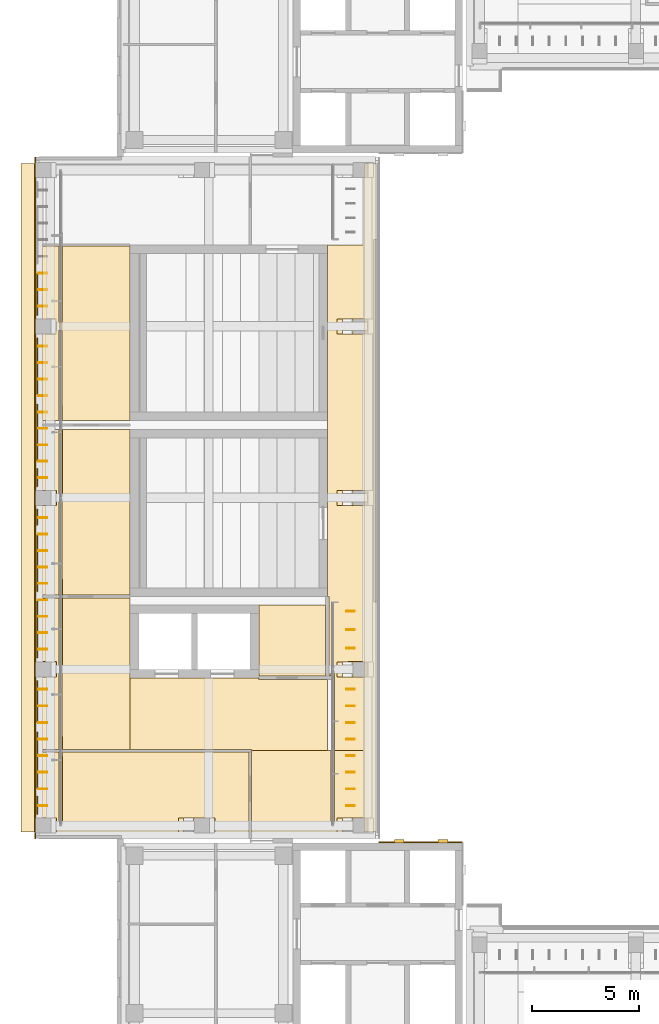
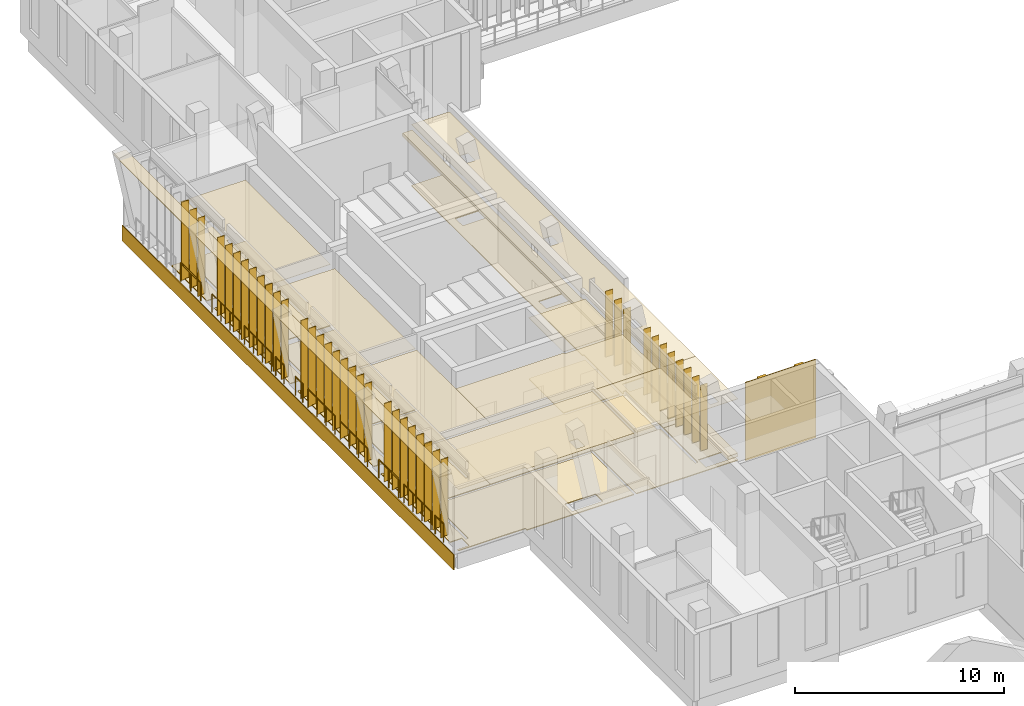
# One storey, part 59 of 74: 40 shading devices, 22 coverings, 10 railings.
"""IFC4 building model written with IfcOpenShell, lengths in metres."""

from ifc_helpers import new_model, si_unit, direction, frame, frame_2d, origin, origin_2d, place, context, subcontext, project, spatial, polyline, rectangle, circle, outline, extrude, material, layer, layer_set, type_object, element, save


model = new_model("IFC4")

# Units and contexts
model_context = context("Model", 3, precision=1e-05, world=origin(), true_north=direction((0.0, 1.0)))
body_context = subcontext(model_context, "Body", "Model", "MODEL_VIEW")
ifc_project = project(units=[si_unit("LENGTHUNIT", "METRE"), si_unit("AREAUNIT", "SQUARE_METRE"), si_unit("VOLUMEUNIT", "CUBIC_METRE"), si_unit("PLANEANGLEUNIT", "RADIAN"), si_unit("MASSUNIT", "GRAM", prefix="KILO")], contexts=[model_context])

# Site, building, storey
site_placement = place(None, origin())
site = spatial("IfcSite", under=ifc_project, at=site_placement, CompositionType="ELEMENT")
building_placement = place(site_placement, origin())
building = spatial("IfcBuilding", under=site, at=building_placement, Name="Lantern Court Media Centre", CompositionType="ELEMENT")
storey_placement = place(building_placement, frame((0.0, 0.0, 19.199951171875)))
storey = spatial("IfcBuildingStorey", under=building, at=storey_placement, Name="L04", CompositionType="ELEMENT", Elevation=19.199951171875)

# Coverings
ifc_material_1 = material(Name="Carpet")
ifc_layer_1 = layer(ifc_material_1, 0.050048828125)
ifc_layer_set_1 = layer_set([ifc_layer_1], Name="Carpet")
covering_type_1 = type_object("IfcCoveringType", Name="Carpet floor finish", PredefinedType="FLOORING", material=ifc_layer_set_1)
covering_1_placement = place(storey_placement, origin())
element("IfcCovering", 1, at=covering_1_placement, inside=storey, type_object=covering_type_1, Name="Projection Room Screen 7 floor finish", PredefinedType="FLOORING", context=body_context, shape_type="SweptSolid", body=[
    extrude(outline(polyline([(4.300048828125, 68.132568359375), (5.070068359375, 68.132568359375), (5.074951171875, 64.89501953125), (5.22998046875, 64.89990234375), (5.22998046875, 68.132568359375), (13.9326171875, 68.132568359375), (13.9326171875, 64.10009765625), (8.0048828125, 64.10009765625), (8.0, 64.2451171875), (4.300048828125, 64.2451171875), (4.300048828125, 64.344970703125), (4.955078125, 64.35009765625), (4.95361328125, 65.053466796875), (4.300048828125, 65.054931640625), (4.300048828125, 68.132568359375)]), holes=[polyline([(10.64501953125, 64.35009765625), (12.351806640625, 64.345458984375), (12.354736328125, 65.052001953125), (10.648193359375, 65.0546875), (10.64501953125, 64.35009765625)])]), origin(), (0.0, 0.0, 1.0), 0.050048828125),
])
covering_2_placement = place(storey_placement, origin())
element("IfcCovering", 2, at=covering_2_placement, inside=storey, type_object=covering_type_1, Name="Cinema Club Room floor finish", PredefinedType="FLOORING", context=body_context, shape_type="SweptSolid", body=[
    extrude(outline(polyline([(8.39501953125, 83.199951171875), (8.39501953125, 75.467529296875), (5.22998046875, 75.467529296875), (5.22509765625, 79.804931640625), (5.070068359375, 79.800048828125), (5.070068359375, 75.467529296875), (4.300048828125, 75.467529296875), (4.300048828125, 79.64501953125), (4.955078125, 79.64990234375), (4.95361328125, 80.353515625), (4.300048828125, 80.35498046875), (4.300048828125, 83.199951171875), (5.070068359375, 83.199951171875), (5.074951171875, 80.195068359375), (5.22998046875, 80.199462890625), (5.22998046875, 83.199951171875), (8.39501953125, 83.199951171875)])), origin(), (0.0, 0.0, 1.0), 0.050048828125),
])
covering_3_placement = place(storey_placement, origin())
element("IfcCovering", 3, at=covering_3_placement, inside=storey, type_object=covering_type_1, Name="Cinema Club Room floor finish", PredefinedType="FLOORING", context=body_context, shape_type="SweptSolid", body=[
    extrude(outline(polyline([(4.300048828125, 91.7451171875), (5.070068359375, 91.7451171875), (5.074951171875, 88.195068359375), (5.22998046875, 88.199951171875), (5.22998046875, 91.7451171875), (8.39501953125, 91.7451171875), (8.39501953125, 83.60009765625), (5.22998046875, 83.60009765625), (5.22509765625, 87.804931640625), (5.070068359375, 87.800048828125), (5.070068359375, 83.60009765625), (4.300048828125, 83.60009765625), (4.300048828125, 87.64501953125), (4.955078125, 87.64990234375), (4.95361328125, 88.353515625), (4.300048828125, 88.35498046875), (4.300048828125, 91.7451171875)])), origin(), (0.0, 0.0, 1.0), 0.050048828125),
])
ifc_material_2 = material(Name="Ceramic tile")
ifc_layer_2 = layer(ifc_material_2, 0.050048828125)
ifc_layer_set_2 = layer_set([ifc_layer_2], Name="Ceramic tile")
covering_type_2 = type_object("IfcCoveringType", Name="Ceramic tile floor finish", PredefinedType="FLOORING", material=ifc_layer_set_2)
covering_4_placement = place(storey_placement, origin())
element("IfcCovering", 4, at=covering_4_placement, inside=storey, type_object=covering_type_2, Name="Accessible WC floor finish", PredefinedType="FLOORING", context=body_context, shape_type="SweptSolid", body=[
    extrude(outline(polyline([(17.52001953125, 75.0), (17.52001953125, 71.679931640625), (14.405029296875, 71.679931640625), (14.405029296875, 75.0), (17.52001953125, 75.0)])), origin(), (0.0, 0.0, 1.0), 0.050048828125),
])

# Railings
ifc_material_3 = material(Name="Powder-coated steel", Category="steel")
railing_type = type_object("IfcRailingType", Name="Floor edge guard 1100", PredefinedType="GUARDRAIL", material=ifc_material_3)
railing_1_placement = place(storey_placement, frame((4.06005859375, 65.259033203125, 0.0)))
element("IfcRailing", 5, at=railing_1_placement, inside=storey, type_object=railing_type, Name="L04 edge guard 109", PredefinedType="GUARDRAIL", context=body_context, shape_type="SweptSolid", body=[
    extrude(circle(Radius=0.02392578125, at=origin_2d()), frame((0.0, 0.0, 1.076171875), z_axis=(0.0, 1.0, 0.0), x_axis=(-1.0, 0.0, 0.0)), (0.0, 0.0, 1.0), 0.799072265625),
    extrude(circle(Radius=0.02099609375, at=origin_2d()), origin(), (0.0, 0.0, 1.0), 1.052001953125),
    extrude(circle(Radius=0.02099609375, at=origin_2d()), frame((0.0, 0.799072265625, 0.0)), (0.0, 0.0, 1.0), 1.052001953125),
])
railing_2_placement = place(storey_placement, frame((4.06005859375, 66.4580078125, 0.0)))
element("IfcRailing", 6, at=railing_2_placement, inside=storey, type_object=railing_type, Name="L04 edge guard 110", PredefinedType="GUARDRAIL", context=body_context, shape_type="SweptSolid", body=[
    extrude(circle(Radius=0.02392578125, at=origin_2d()), frame((0.0, 0.0, 1.076171875), z_axis=(0.0, 1.0, 0.0), x_axis=(-1.0, 0.0, 0.0)), (0.0, 0.0, 1.0), 2.597900390625),
    extrude(circle(Radius=0.02099609375, at=origin_2d()), origin(), (0.0, 0.0, 1.0), 1.052001953125),
    extrude(circle(Radius=0.02099609375, at=origin_2d()), frame((0.0, 0.865966796875, 0.0)), (0.0, 0.0, 1.0), 1.052001953125),
    extrude(circle(Radius=0.02099609375, at=origin_2d()), frame((0.0, 1.73193359375, 0.0)), (0.0, 0.0, 1.0), 1.052001953125),
    extrude(circle(Radius=0.02099609375, at=origin_2d()), frame((0.0, 2.597900390625, 0.0)), (0.0, 0.0, 1.0), 1.052001953125),
])
railing_3_placement = place(storey_placement, frame((4.06005859375, 69.554931640625, 0.0)))
element("IfcRailing", 7, at=railing_3_placement, inside=storey, type_object=railing_type, Name="L04 edge guard 111", PredefinedType="GUARDRAIL", context=body_context, shape_type="SweptSolid", body=[
    extrude(circle(Radius=0.02392578125, at=origin_2d()), frame((0.0, 0.0, 1.076171875), z_axis=(0.0, 1.0, 0.0), x_axis=(-1.0, 0.0, 0.0)), (0.0, 0.0, 1.0), 1.899169921875),
    extrude(circle(Radius=0.02099609375, at=origin_2d()), origin(), (0.0, 0.0, 1.0), 1.052001953125),
    extrude(circle(Radius=0.02099609375, at=origin_2d()), frame((0.0, 0.94970703125, 0.0)), (0.0, 0.0, 1.0), 1.052001953125),
    extrude(circle(Radius=0.02099609375, at=origin_2d()), frame((0.0, 1.899169921875, 0.0)), (0.0, 0.0, 1.0), 1.052001953125),
])
railing_4_placement = place(storey_placement, frame((4.06005859375, 72.552978515625, 0.0)))
element("IfcRailing", 8, at=railing_4_placement, inside=storey, type_object=railing_type, Name="L04 edge guard 112", PredefinedType="GUARDRAIL", context=body_context, shape_type="SweptSolid", body=[
    extrude(circle(Radius=0.02392578125, at=origin_2d()), frame((0.0, 0.0, 1.076171875), z_axis=(0.0, 1.0, 0.0), x_axis=(-1.0, 0.0, 0.0)), (0.0, 0.0, 1.0), 2.597900390625),
    extrude(circle(Radius=0.02099609375, at=origin_2d()), origin(), (0.0, 0.0, 1.0), 1.052001953125),
    extrude(circle(Radius=0.02099609375, at=origin_2d()), frame((0.0, 0.865966796875, 0.0)), (0.0, 0.0, 1.0), 1.052001953125),
    extrude(circle(Radius=0.02099609375, at=origin_2d()), frame((0.0, 1.73193359375, 0.0)), (0.0, 0.0, 1.0), 1.052001953125),
    extrude(circle(Radius=0.02099609375, at=origin_2d()), frame((0.0, 2.597900390625, 0.0)), (0.0, 0.0, 1.0), 1.052001953125),
])
railing_5_placement = place(storey_placement, frame((4.06005859375, 75.64990234375, 0.0)))
element("IfcRailing", 9, at=railing_5_placement, inside=storey, type_object=railing_type, Name="L04 edge guard 113", PredefinedType="GUARDRAIL", context=body_context, shape_type="SweptSolid", body=[
    extrude(circle(Radius=0.02392578125, at=origin_2d()), frame((0.0, 0.0, 1.076171875), z_axis=(0.0, 1.0, 0.0), x_axis=(-1.0, 0.0, 0.0)), (0.0, 0.0, 1.0), 2.59814453125),
    extrude(circle(Radius=0.02099609375, at=origin_2d()), origin(), (0.0, 0.0, 1.0), 1.052001953125),
    extrude(circle(Radius=0.02099609375, at=origin_2d()), frame((0.0, 0.865966796875, 0.0)), (0.0, 0.0, 1.0), 1.052001953125),
    extrude(circle(Radius=0.02099609375, at=origin_2d()), frame((0.0, 1.732177734375, 0.0)), (0.0, 0.0, 1.0), 1.052001953125),
    extrude(circle(Radius=0.02099609375, at=origin_2d()), frame((0.0, 2.59814453125, 0.0)), (0.0, 0.0, 1.0), 1.052001953125),
])
railing_6_placement = place(storey_placement, frame((4.06005859375, 78.748046875, 0.0)))
element("IfcRailing", 10, at=railing_6_placement, inside=storey, type_object=railing_type, Name="L04 edge guard 114", PredefinedType="GUARDRAIL", context=body_context, shape_type="SweptSolid", body=[
    extrude(circle(Radius=0.02392578125, at=origin_2d()), frame((0.0, 0.0, 1.076171875), z_axis=(0.0, 1.0, 0.0), x_axis=(-1.0, 0.0, 0.0)), (0.0, 0.0, 1.0), 0.698974609375),
    extrude(circle(Radius=0.02099609375, at=origin_2d()), origin(), (0.0, 0.0, 1.0), 1.052001953125),
    extrude(circle(Radius=0.02099609375, at=origin_2d()), frame((0.0, 0.698974609375, 0.0)), (0.0, 0.0, 1.0), 1.052001953125),
])
railing_7_placement = place(storey_placement, frame((4.06005859375, 80.5458984375, 0.0)))
element("IfcRailing", 11, at=railing_7_placement, inside=storey, type_object=railing_type, Name="L04 edge guard 115", PredefinedType="GUARDRAIL", context=body_context, shape_type="SweptSolid", body=[
    extrude(circle(Radius=0.02392578125, at=origin_2d()), frame((0.0, 0.0, 1.076171875), z_axis=(0.0, 1.0, 0.0), x_axis=(-1.0, 0.0, 0.0)), (0.0, 0.0, 1.0), 0.799072265625),
    extrude(circle(Radius=0.02099609375, at=origin_2d()), origin(), (0.0, 0.0, 1.0), 1.052001953125),
    extrude(circle(Radius=0.02099609375, at=origin_2d()), frame((0.0, 0.799072265625, 0.0)), (0.0, 0.0, 1.0), 1.052001953125),
])
for number, where, name in (
    (12, (4.06005859375, 81.7451171875, 0.0), "L04 edge guard 116"),
    (13, (4.06005859375, 84.842041015625, 0.0), "L04 edge guard 117"),
):
    element("IfcRailing", number, at=place(storey_placement, frame(where)), inside=storey, type_object=railing_type, Name=name, PredefinedType="GUARDRAIL", context=body_context, shape_type="SweptSolid", body=[
        extrude(circle(Radius=0.02392578125, at=origin_2d()), frame((0.0, 0.0, 1.076171875), z_axis=(0.0, 1.0, 0.0), x_axis=(-1.0, 0.0, 0.0)), (0.0, 0.0, 1.0), 2.597900390625),
        extrude(circle(Radius=0.02099609375, at=origin_2d()), origin(), (0.0, 0.0, 1.0), 1.052001953125),
        extrude(circle(Radius=0.02099609375, at=origin_2d()), frame((0.0, 0.865966796875, 0.0)), (0.0, 0.0, 1.0), 1.052001953125),
        extrude(circle(Radius=0.02099609375, at=origin_2d()), frame((0.0, 1.73193359375, 0.0)), (0.0, 0.0, 1.0), 1.052001953125),
        extrude(circle(Radius=0.02099609375, at=origin_2d()), frame((0.0, 2.597900390625, 0.0)), (0.0, 0.0, 1.0), 1.052001953125),
    ])
railing_8_placement = place(storey_placement, frame((4.06005859375, 88.5390625, 0.0)))
element("IfcRailing", 14, at=railing_8_placement, inside=storey, type_object=railing_type, Name="L04 edge guard 118", PredefinedType="GUARDRAIL", context=body_context, shape_type="SweptSolid", body=[
    extrude(circle(Radius=0.02392578125, at=origin_2d()), frame((0.0, 0.0, 1.076171875), z_axis=(0.0, 1.0, 0.0), x_axis=(-1.0, 0.0, 0.0)), (0.0, 0.0, 1.0), 1.89892578125),
    extrude(circle(Radius=0.02099609375, at=origin_2d()), origin(), (0.0, 0.0, 1.0), 1.052001953125),
    extrude(circle(Radius=0.02099609375, at=origin_2d()), frame((0.0, 0.949462890625, 0.0)), (0.0, 0.0, 1.0), 1.052001953125),
    extrude(circle(Radius=0.02099609375, at=origin_2d()), frame((0.0, 1.89892578125, 0.0)), (0.0, 0.0, 1.0), 1.052001953125),
])

# Coverings
ifc_material_4 = material(Name="White glass-fibre reinforced cement cladding", Category="concrete")
ifc_layer_3 = layer(ifc_material_4, 0.050048828125)
ifc_layer_set_3 = layer_set([ifc_layer_3], Name="White glass-fibre reinforced cement cladding")
covering_type_3 = type_object("IfcCoveringType", Name="Floor-edge band 50", PredefinedType="CLADDING", material=ifc_layer_set_3)
covering_5_placement = place(storey_placement, frame((3.97509765625, 64.10009765625, -0.89990234375), z_axis=(0.0, 0.0, 1.0), x_axis=(0.0, 1.0, 0.0)))
element("IfcCovering", 15, at=covering_5_placement, inside=storey, type_object=covering_type_3, Name="Floor-edge band W outer L04", PredefinedType="CLADDING", context=body_context, shape_type="SweptSolid", body=[
    extrude(rectangle(XDim=31.7998046875, YDim=0.050048828125, at=frame_2d((15.89990234375, 0.0))), origin(), (0.0, 0.0, 1.0), 0.89990234375),
])
ifc_material_5 = material(Name="Honed limestone cladding", Category="masonry")
ifc_layer_4 = layer(ifc_material_5, 0.050048828125)
ifc_layer_set_4 = layer_set([ifc_layer_4], Name="Honed limestone cladding")
covering_type_4 = type_object("IfcCoveringType", Name="Limestone cladding panel 50", PredefinedType="CLADDING", material=ifc_layer_set_4)
covering_6_placement = place(storey_placement, frame((20.0, 63.925048828125, 0.0), z_axis=(0.0, 0.0, 1.0), x_axis=(1.0, 0.0, 0.0)))
element("IfcCovering", 16, at=covering_6_placement, inside=storey, type_object=covering_type_4, Name="Limestone joint cladding W-SW L04", PredefinedType="CLADDING", context=body_context, shape_type="SweptSolid", body=[
    extrude(rectangle(XDim=3.89990234375, YDim=0.050048828125, at=frame_2d((1.949951171875, 0.0))), origin(), (0.0, 0.0, 1.0), 4.580078125),
])
ifc_layer_5 = layer(ifc_material_5, 0.14990234375)
ifc_layer_set_5 = layer_set([ifc_layer_5], Name="Honed limestone cladding")
covering_type_5 = type_object("IfcCoveringType", Name="Limestone pilaster cladding 150", PredefinedType="CLADDING", material=ifc_layer_set_5)
covering_7_placement = place(storey_placement, frame((20.72509765625, 63.97509765625, 0.0), z_axis=(0.0, 0.0, 1.0), x_axis=(1.0, 0.0, 0.0)))
element("IfcCovering", 17, at=covering_7_placement, inside=storey, type_object=covering_type_5, Name="Limestone pilaster rib", PredefinedType="CLADDING", context=body_context, shape_type="SweptSolid", body=[
    extrude(rectangle(XDim=0.449951171875, YDim=0.14990234375, at=frame_2d((0.22509765625, 0.0))), origin(), (0.0, 0.0, 1.0), 4.580078125),
])
covering_8_placement = place(storey_placement, frame((22.77490234375, 63.97509765625, 0.0), z_axis=(0.0, 0.0, 1.0), x_axis=(1.0, 0.0, 0.0)))
element("IfcCovering", 18, at=covering_8_placement, inside=storey, type_object=covering_type_5, Name="Limestone pilaster rib", PredefinedType="CLADDING", context=body_context, shape_type="SweptSolid", body=[
    extrude(rectangle(XDim=0.4501953125, YDim=0.14990234375, at=frame_2d((0.22509765625, 0.0))), origin(), (0.0, 0.0, 1.0), 4.580078125),
])
ifc_material_6 = material(Name="Planting substrate")
ifc_layer_6 = layer(ifc_material_6, 0.199951171875)
ifc_layer_set_6 = layer_set([ifc_layer_6], Name="Planting substrate")
covering_type_6 = type_object("IfcCoveringType", Name="Planted ledge build-up 200", PredefinedType="ROOFING", material=ifc_layer_set_6)
covering_9_placement = place(storey_placement, origin())
element("IfcCovering", 19, at=covering_9_placement, inside=storey, type_object=covering_type_6, Name="Planted ledge W L04", PredefinedType="ROOFING", context=body_context, shape_type="SweptSolid", body=[
    extrude(outline(polyline([(19.85009765625, 64.39990234375), (19.85009765625, 95.60009765625), (19.320068359375, 95.60009765625), (19.320068359375, 64.39990234375), (19.85009765625, 64.39990234375)])), origin(), (0.0, 0.0, 1.0), 0.199951171875),
])
ifc_material_7 = material(Name="White fibre cement soffit board")
ifc_layer_7 = layer(ifc_material_7, 0.0400390625)
ifc_layer_set_7 = layer_set([ifc_layer_7], Name="White fibre cement soffit board")
covering_type_7 = type_object("IfcCoveringType", Name="Soffit lining 40", PredefinedType="CLADDING", material=ifc_layer_set_7)
covering_10_placement = place(storey_placement, frame((3.64990234375, 64.39990234375, 4.5400390625), z_axis=(0.0, 0.0, 1.0), x_axis=(0.0, 1.0, 0.0)))
element("IfcCovering", 20, at=covering_10_placement, inside=storey, type_object=covering_type_7, Name="Soffit lining W L04", PredefinedType="CLADDING", context=body_context, shape_type="SweptSolid", body=[
    extrude(rectangle(XDim=31.2001953125, YDim=0.699951171875, at=frame_2d((15.60009765625, 0.0))), origin(), (0.0, 0.0, 1.0), 0.0400390625),
])
ifc_material_8 = material(Name="Mineral fibre ceiling tile")
ifc_layer_8 = layer(ifc_material_8, 0.02001953125)
ifc_layer_set_8 = layer_set([ifc_layer_8], Name="Mineral fibre ceiling tile")
covering_type_8 = type_object("IfcCoveringType", Name="Suspended ceiling tile", PredefinedType="CEILING", material=ifc_layer_set_8)
covering_11_placement = place(storey_placement, frame((0.0, 0.0, 3.60009765625)))
element("IfcCovering", 21, at=covering_11_placement, inside=storey, type_object=covering_type_8, Name="Projection Room Screen 7 ceiling", PredefinedType="CEILING", context=body_context, shape_type="SweptSolid", body=[
    extrude(outline(polyline([(5.2294921875, 68.199951171875), (5.22998046875, 68.136962890625), (13.93701171875, 68.136962890625), (13.93701171875, 64.10009765625), (8.00048828125, 64.10009765625), (8.0, 64.240478515625), (4.300048828125, 64.240478515625), (4.300048828125, 68.136962890625), (5.070068359375, 68.136962890625), (5.074462890625, 68.199951171875), (5.074462890625, 64.89990234375), (5.22509765625, 64.8994140625), (5.2294921875, 68.199951171875)]), holes=[polyline([(10.89794921875, 65.050537109375), (10.8974609375, 64.349609375), (11.350341796875, 64.349609375), (11.350341796875, 65.05029296875), (10.89794921875, 65.050537109375)])]), origin(), (0.0, 0.0, 1.0), 0.02001953125),
])
covering_12_placement = place(storey_placement, frame((0.0, 0.0, 3.60009765625)))
element("IfcCovering", 22, at=covering_12_placement, inside=storey, type_object=covering_type_8, Name="End Lobby ceiling", PredefinedType="CEILING", context=body_context, shape_type="SweptSolid", body=[
    extrude(outline(polyline([(19.699951171875, 68.199951171875), (19.699951171875, 64.10009765625), (14.06298828125, 64.1005859375), (14.06298828125, 68.199951171875), (17.7744140625, 68.199951171875), (17.77490234375, 64.8994140625), (17.925537109375, 64.89990234375), (17.925537109375, 68.199951171875), (19.699951171875, 68.199951171875)]), holes=[polyline([(18.2978515625, 65.050537109375), (18.297607421875, 64.349609375), (18.750244140625, 64.349609375), (18.75048828125, 65.05029296875), (18.2978515625, 65.050537109375)])]), origin(), (0.0, 0.0, 1.0), 0.02001953125),
])
covering_13_placement = place(storey_placement, frame((0.0, 0.0, 3.60009765625)))
element("IfcCovering", 23, at=covering_13_placement, inside=storey, type_object=covering_type_8, Name="Cinema Club Room ceiling", PredefinedType="CEILING", context=body_context, shape_type="SweptSolid", body=[
    extrude(outline(polyline([(8.3994140625, 83.199951171875), (8.3994140625, 75.462890625), (5.22998046875, 75.462890625), (5.2255859375, 75.39990234375), (5.22509765625, 79.800537109375), (5.074462890625, 79.800048828125), (5.074462890625, 75.39990234375), (5.070068359375, 75.462890625), (4.300048828125, 75.462890625), (4.300048828125, 83.199951171875), (5.074462890625, 83.199951171875), (5.074951171875, 80.199462890625), (5.2255859375, 80.199951171875), (5.2255859375, 83.199951171875), (8.3994140625, 83.199951171875)])), origin(), (0.0, 0.0, 1.0), 0.02001953125),
])
covering_14_placement = place(storey_placement, frame((0.0, 0.0, 3.60009765625)))
element("IfcCovering", 24, at=covering_14_placement, inside=storey, type_object=covering_type_8, Name="Cinema Club Room ceiling", PredefinedType="CEILING", context=body_context, shape_type="SweptSolid", body=[
    extrude(outline(polyline([(5.2294921875, 91.800048828125), (5.22998046875, 91.74951171875), (8.3994140625, 91.74951171875), (8.3994140625, 83.60009765625), (5.2255859375, 83.60009765625), (5.22509765625, 87.800537109375), (5.074462890625, 87.800048828125), (5.074462890625, 83.60009765625), (4.300048828125, 83.60009765625), (4.300048828125, 91.74951171875), (5.070068359375, 91.74951171875), (5.074462890625, 91.800048828125), (5.074462890625, 88.199951171875), (5.22509765625, 88.199462890625), (5.2294921875, 91.800048828125)])), origin(), (0.0, 0.0, 1.0), 0.02001953125),
])
covering_15_placement = place(storey_placement, frame((0.0, 0.0, 3.60009765625)))
element("IfcCovering", 25, at=covering_15_placement, inside=storey, type_object=covering_type_8, Name="Lift Lobby ceiling", PredefinedType="CEILING", context=body_context, shape_type="SweptSolid", body=[
    extrude(outline(polyline([(17.60009765625, 68.199951171875), (14.06298828125, 68.199951171875), (14.0625, 68.262939453125), (8.39990234375, 68.262939453125), (8.39990234375, 71.599609375), (14.3994140625, 71.599609375), (14.39990234375, 71.5244140625), (17.60009765625, 71.5244140625), (17.60009765625, 68.199951171875)])), origin(), (0.0, 0.0, 1.0), 0.02001953125),
])
covering_16_placement = place(storey_placement, frame((0.0, 0.0, 3.60009765625)))
element("IfcCovering", 26, at=covering_16_placement, inside=storey, type_object=covering_type_8, Name="Accessible WC ceiling", PredefinedType="CEILING", context=body_context, shape_type="SweptSolid", body=[
    extrude(outline(polyline([(17.5244140625, 75.0), (17.5244140625, 71.675537109375), (14.400390625, 71.675537109375), (14.400390625, 75.0), (17.5244140625, 75.0)])), origin(), (0.0, 0.0, 1.0), 0.02001953125),
])
covering_17_placement = place(storey_placement, frame((0.0, 0.0, 3.60009765625)))
element("IfcCovering", 27, at=covering_17_placement, inside=storey, type_object=covering_type_8, Name="Cinema Club Lobby ceiling", PredefinedType="CEILING", context=body_context, shape_type="SweptSolid", body=[
    extrude(outline(polyline([(8.39990234375, 68.262939453125), (5.22998046875, 68.262939453125), (5.2255859375, 68.199951171875), (5.22509765625, 71.800537109375), (5.074462890625, 71.800048828125), (5.074462890625, 68.199951171875), (5.070068359375, 68.262939453125), (4.300048828125, 68.262939453125), (4.300048828125, 75.3369140625), (5.070068359375, 75.3369140625), (5.074462890625, 75.39990234375), (5.074951171875, 72.199462890625), (5.2255859375, 72.199951171875), (5.2255859375, 75.39990234375), (5.22998046875, 75.3369140625), (8.39990234375, 75.3369140625), (8.39990234375, 68.262939453125)])), origin(), (0.0, 0.0, 1.0), 0.02001953125),
])
covering_18_placement = place(storey_placement, frame((0.0, 0.0, 3.60009765625)))
element("IfcCovering", 28, at=covering_18_placement, inside=storey, type_object=covering_type_8, Name="Cinema Lobby ceiling", PredefinedType="CEILING", context=body_context, shape_type="SweptSolid", body=[
    extrude(outline(polyline([(19.699951171875, 91.800048828125), (19.699951171875, 68.199951171875), (17.925537109375, 68.199951171875), (17.925537109375, 71.800048828125), (17.774658203125, 71.800537109375), (17.7744140625, 71.675537109375), (17.675537109375, 71.675537109375), (17.675537109375, 75.39990234375), (17.6005859375, 75.400390625), (17.6005859375, 91.800048828125), (19.699951171875, 91.800048828125)]), holes=[polyline([(18.2978515625, 88.3505859375), (18.297607421875, 87.649658203125), (18.750244140625, 87.649658203125), (18.75048828125, 88.350341796875), (18.2978515625, 88.3505859375)]), polyline([(18.2978515625, 80.3505859375), (18.297607421875, 79.649658203125), (18.750244140625, 79.649658203125), (18.75048828125, 80.350341796875), (18.2978515625, 80.3505859375)]), polyline([(18.75048828125, 72.35009765625), (18.297607421875, 72.350341796875), (18.297607421875, 71.649658203125), (18.75048828125, 71.649658203125), (18.75048828125, 72.35009765625)])]), origin(), (0.0, 0.0, 1.0), 0.02001953125),
])
ifc_material_9 = material(Name="Terrazzo")
ifc_layer_9 = layer(ifc_material_9, 0.050048828125)
ifc_layer_set_9 = layer_set([ifc_layer_9], Name="Terrazzo")
covering_type_9 = type_object("IfcCoveringType", Name="Terrazzo floor finish", PredefinedType="FLOORING", material=ifc_layer_set_9)
covering_19_placement = place(storey_placement, origin())
element("IfcCovering", 29, at=covering_19_placement, inside=storey, type_object=covering_type_9, Name="End Lobby floor finish", PredefinedType="FLOORING", context=body_context, shape_type="SweptSolid", body=[
    extrude(outline(polyline([(19.699951171875, 64.10009765625), (14.0673828125, 64.10498046875), (14.0673828125, 68.199951171875), (17.77001953125, 68.199951171875), (17.77490234375, 64.89501953125), (17.929931640625, 64.89990234375), (17.929931640625, 68.199951171875), (19.699951171875, 68.199951171875), (19.699951171875, 65.054931640625), (18.044921875, 65.050048828125), (18.047607421875, 64.345703125), (19.699951171875, 64.344970703125), (19.699951171875, 64.10009765625)])), origin(), (0.0, 0.0, 1.0), 0.050048828125),
])
covering_20_placement = place(storey_placement, origin())
element("IfcCovering", 30, at=covering_20_placement, inside=storey, type_object=covering_type_9, Name="Lift Lobby floor finish", PredefinedType="FLOORING", context=body_context, shape_type="SweptSolid", body=[
    extrude(outline(polyline([(17.60009765625, 68.199951171875), (14.0673828125, 68.199951171875), (14.0625, 68.267578125), (8.39990234375, 68.267578125), (8.39990234375, 71.594970703125), (14.39501953125, 71.594970703125), (14.39990234375, 71.52001953125), (17.60009765625, 71.52001953125), (17.60009765625, 68.199951171875)])), origin(), (0.0, 0.0, 1.0), 0.050048828125),
])
covering_21_placement = place(storey_placement, origin())
element("IfcCovering", 31, at=covering_21_placement, inside=storey, type_object=covering_type_9, Name="Cinema Club Lobby floor finish", PredefinedType="FLOORING", context=body_context, shape_type="SweptSolid", body=[
    extrude(outline(polyline([(8.39990234375, 68.267578125), (5.22998046875, 68.267578125), (5.22509765625, 71.804931640625), (5.070068359375, 71.800048828125), (5.070068359375, 68.267578125), (4.300048828125, 68.267578125), (4.300048828125, 71.64501953125), (4.955078125, 71.64990234375), (4.95361328125, 72.353515625), (4.300048828125, 72.35498046875), (4.300048828125, 75.33251953125), (5.070068359375, 75.33251953125), (5.074951171875, 72.195068359375), (5.22998046875, 72.199462890625), (5.22998046875, 75.33251953125), (8.39990234375, 75.33251953125), (8.39990234375, 68.267578125)])), origin(), (0.0, 0.0, 1.0), 0.050048828125),
])
covering_22_placement = place(storey_placement, origin())
element("IfcCovering", 32, at=covering_22_placement, inside=storey, type_object=covering_type_9, Name="Cinema Lobby floor finish", PredefinedType="FLOORING", context=body_context, shape_type="SweptSolid", body=[
    extrude(outline(polyline([(19.699951171875, 68.199951171875), (17.929931640625, 68.199951171875), (17.929931640625, 71.800048828125), (17.772705078125, 71.804443359375), (17.77001953125, 71.679931640625), (17.679931640625, 71.679931640625), (17.679931640625, 75.39990234375), (17.60498046875, 75.405029296875), (17.60498046875, 91.800048828125), (19.699951171875, 91.800048828125), (19.699951171875, 88.35498046875), (18.044921875, 88.35009765625), (18.048095703125, 87.645263671875), (19.699951171875, 87.64501953125), (19.699951171875, 80.35498046875), (18.044921875, 80.35009765625), (18.048095703125, 79.645263671875), (19.699951171875, 79.64501953125), (19.699951171875, 72.35498046875), (18.044921875, 72.35009765625), (18.048095703125, 71.645263671875), (19.699951171875, 71.64501953125), (19.699951171875, 68.199951171875)])), origin(), (0.0, 0.0, 1.0), 0.050048828125),
])

# Shading devices
ifc_material_10 = material(Name="Bronze anodised aluminium louvre", Category="aluminium")
ifc_layer_10 = layer(ifc_material_10, 0.0400390625)
ifc_layer_set_10 = layer_set([ifc_layer_10], Name="Bronze anodised aluminium louvre")
shading_device_type_1 = type_object("IfcShadingDeviceType", Name="Vertical louvre 40x400 full storey", PredefinedType="USERDEFINED", material=ifc_layer_set_10)
for number, where, z_axis, x_axis, name in (
    (33, (4.320068359375, 65.637451171875, 0.0), (0.0, 0.0, 1.0), (1.0, 0.0, 0.0), "Vertical louvre W outer L04"),
    (34, (4.320068359375, 66.41259765625, 0.0), (0.0, 0.0, 1.0), (1.0, 0.0, 0.0), "Vertical louvre W outer L04"),
    (35, (4.320068359375, 67.1875, 0.0), (0.0, 0.0, 1.0), (1.0, 0.0, 0.0), "Vertical louvre W outer L04"),
    (36, (4.320068359375, 67.96240234375, 0.0), (0.0, 0.0, 1.0), (1.0, 0.0, 0.0), "Vertical louvre W outer L04"),
    (37, (4.320068359375, 68.737548828125, 0.0), (0.0, 0.0, 1.0), (1.0, 0.0, 0.0), "Vertical louvre W outer L04"),
    (38, (4.320068359375, 69.512451171875, 0.0), (0.0, 0.0, 1.0), (1.0, 0.0, 0.0), "Vertical louvre W outer L04"),
    (39, (4.320068359375, 70.28759765625, 0.0), (0.0, 0.0, 1.0), (1.0, 0.0, 0.0), "Vertical louvre W outer L04"),
    (40, (4.320068359375, 71.0625, 0.0), (0.0, 0.0, 1.0), (1.0, 0.0, 0.0), "Vertical louvre W outer L04"),
    (41, (4.320068359375, 72.933349609375, 0.0), (0.0, 0.0, 1.0), (1.0, 0.0, 0.0), "Vertical louvre W outer L04"),
    (42, (4.320068359375, 73.699951171875, 0.0), (0.0, 0.0, 1.0), (1.0, 0.0, 0.0), "Vertical louvre W outer L04"),
    (43, (4.320068359375, 74.466552734375, 0.0), (0.0, 0.0, 1.0), (1.0, 0.0, 0.0), "Vertical louvre W outer L04"),
    (44, (4.320068359375, 75.2333984375, 0.0), (0.0, 0.0, 1.0), (1.0, 0.0, 0.0), "Vertical louvre W outer L04"),
    (45, (4.320068359375, 76.0, 0.0), (0.0, 0.0, 1.0), (1.0, 0.0, 0.0), "Vertical louvre W outer L04"),
    (46, (4.320068359375, 76.7666015625, 0.0), (0.0, 0.0, 1.0), (1.0, 0.0, 0.0), "Vertical louvre W outer L04"),
    (47, (4.320068359375, 77.533447265625, 0.0), (0.0, 0.0, 1.0), (1.0, 0.0, 0.0), "Vertical louvre W outer L04"),
    (48, (4.320068359375, 78.300048828125, 0.0), (0.0, 0.0, 1.0), (1.0, 0.0, 0.0), "Vertical louvre W outer L04"),
    (49, (4.320068359375, 79.066650390625, 0.0), (0.0, 0.0, 1.0), (1.0, 0.0, 0.0), "Vertical louvre W outer L04"),
    (50, (4.320068359375, 80.933349609375, 0.0), (0.0, 0.0, 1.0), (1.0, 0.0, 0.0), "Vertical louvre W outer L04"),
    (51, (4.320068359375, 81.699951171875, 0.0), (0.0, 0.0, 1.0), (1.0, 0.0, 0.0), "Vertical louvre W outer L04"),
    (52, (4.320068359375, 82.466552734375, 0.0), (0.0, 0.0, 1.0), (1.0, 0.0, 0.0), "Vertical louvre W outer L04"),
    (53, (4.320068359375, 83.2333984375, 0.0), (0.0, 0.0, 1.0), (1.0, 0.0, 0.0), "Vertical louvre W outer L04"),
    (54, (4.320068359375, 84.0, 0.0), (0.0, 0.0, 1.0), (1.0, 0.0, 0.0), "Vertical louvre W outer L04"),
    (55, (4.320068359375, 84.7666015625, 0.0), (0.0, 0.0, 1.0), (1.0, 0.0, 0.0), "Vertical louvre W outer L04"),
    (56, (4.320068359375, 85.533447265625, 0.0), (0.0, 0.0, 1.0), (1.0, 0.0, 0.0), "Vertical louvre W outer L04"),
    (57, (4.320068359375, 86.300048828125, 0.0), (0.0, 0.0, 1.0), (1.0, 0.0, 0.0), "Vertical louvre W outer L04"),
    (58, (4.320068359375, 87.066650390625, 0.0), (0.0, 0.0, 1.0), (1.0, 0.0, 0.0), "Vertical louvre W outer L04"),
    (59, (4.320068359375, 88.9375, 0.0), (0.0, 0.0, 1.0), (1.0, 0.0, 0.0), "Vertical louvre W outer L04"),
    (60, (4.320068359375, 89.71240234375, 0.0), (0.0, 0.0, 1.0), (1.0, 0.0, 0.0), "Vertical louvre W outer L04"),
    (61, (4.320068359375, 90.487548828125, 0.0), (0.0, 0.0, 1.0), (1.0, 0.0, 0.0), "Vertical louvre W outer L04"),
):
    element("IfcShadingDevice", number, at=place(storey_placement, frame(where, z_axis=z_axis, x_axis=x_axis)), inside=storey, type_object=shading_device_type_1, Name=name, ObjectType="VERTICAL LOUVRE", PredefinedType="USERDEFINED", context=body_context, shape_type="SweptSolid", body=[
        extrude(rectangle(XDim=0.39990234375, YDim=0.0400390625, at=origin_2d()), origin(), (0.0, 0.0, 1.0), 4.580078125),
    ])
ifc_layer_11 = layer(ifc_material_10, 0.0400390625)
ifc_layer_set_11 = layer_set([ifc_layer_11], Name="Bronze anodised aluminium louvre")
shading_device_type_2 = type_object("IfcShadingDeviceType", Name="Vertical louvre 40x400 under beam", PredefinedType="USERDEFINED", material=ifc_layer_set_11)
for number, where, z_axis, x_axis, name in (
    (62, (18.679931640625, 65.637451171875, 0.0), (0.0, 0.0, 1.0), (1.0, 0.0, 0.0), "Vertical louvre W inner L04"),
    (63, (18.679931640625, 66.41259765625, 0.0), (0.0, 0.0, 1.0), (1.0, 0.0, 0.0), "Vertical louvre W inner L04"),
    (64, (18.679931640625, 67.1875, 0.0), (0.0, 0.0, 1.0), (1.0, 0.0, 0.0), "Vertical louvre W inner L04"),
    (65, (18.679931640625, 67.96240234375, 0.0), (0.0, 0.0, 1.0), (1.0, 0.0, 0.0), "Vertical louvre W inner L04"),
    (66, (18.679931640625, 68.737548828125, 0.0), (0.0, 0.0, 1.0), (1.0, 0.0, 0.0), "Vertical louvre W inner L04"),
    (67, (18.679931640625, 69.512451171875, 0.0), (0.0, 0.0, 1.0), (1.0, 0.0, 0.0), "Vertical louvre W inner L04"),
    (68, (18.679931640625, 70.28759765625, 0.0), (0.0, 0.0, 1.0), (1.0, 0.0, 0.0), "Vertical louvre W inner L04"),
    (69, (18.679931640625, 71.0625, 0.0), (0.0, 0.0, 1.0), (1.0, 0.0, 0.0), "Vertical louvre W inner L04"),
    (70, (18.679931640625, 72.9833984375, 0.0), (0.0, 0.0, 1.0), (1.0, 0.0, 0.0), "Vertical louvre W inner L04"),
    (71, (18.679931640625, 73.85009765625, 0.0), (0.0, 0.0, 1.0), (1.0, 0.0, 0.0), "Vertical louvre W inner L04"),
    (72, (18.679931640625, 74.716552734375, 0.0), (0.0, 0.0, 1.0), (1.0, 0.0, 0.0), "Vertical louvre W inner L04"),
):
    element("IfcShadingDevice", number, at=place(storey_placement, frame(where, z_axis=z_axis, x_axis=x_axis)), inside=storey, type_object=shading_device_type_2, Name=name, ObjectType="VERTICAL LOUVRE", PredefinedType="USERDEFINED", context=body_context, shape_type="SweptSolid", body=[
        extrude(rectangle(XDim=0.39990234375, YDim=0.0400390625, at=origin_2d()), origin(), (0.0, 0.0, 1.0), 3.89990234375),
    ])

save(model, "model.ifc")
